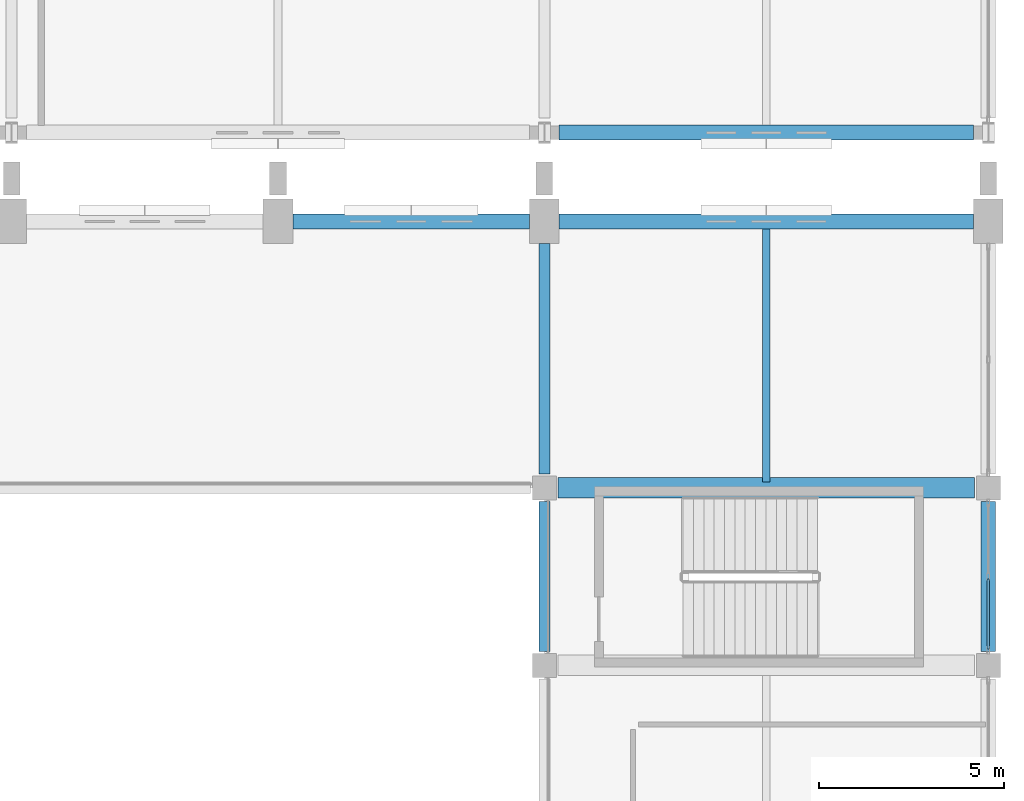
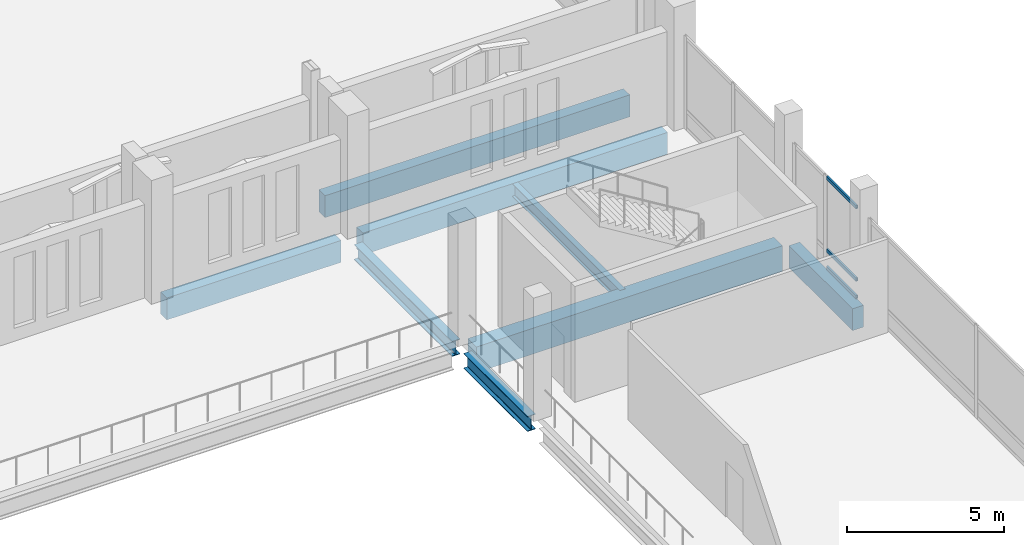
# One storey, part 112 of 220: 8 beams, 3 members, 1 element without a shape of its own.
"""IFC4 building model written with IfcOpenShell, lengths in metres."""

from ifc_helpers import new_model, si_unit, direction, frame, origin, origin_2d, place, context, subcontext, project, spatial, rectangle, hollow_rectangle, i_section, extrude, material, material_profile, profile_set, type_object, element, aggregate, save


model = new_model("IFC4")

# Units and contexts
model_context = context("Model", 3, precision=1e-05, world=origin(), true_north=direction((0.0, 1.0)))
body_context = subcontext(model_context, "Body", "Model", "MODEL_VIEW")
ifc_project = project(units=[si_unit("LENGTHUNIT", "METRE"), si_unit("AREAUNIT", "SQUARE_METRE"), si_unit("VOLUMEUNIT", "CUBIC_METRE"), si_unit("PLANEANGLEUNIT", "RADIAN"), si_unit("MASSUNIT", "GRAM", prefix="KILO")], contexts=[model_context])

# Site, building, storey
site_placement = place(None, origin())
site = spatial("IfcSite", under=ifc_project, at=site_placement, CompositionType="ELEMENT")
building_placement = place(site_placement, origin())
building = spatial("IfcBuilding", under=site, at=building_placement, Name="Cendralis Lancet Convention Centre", CompositionType="ELEMENT")
storey_placement = place(building_placement, frame((0.0, 0.0, 5.39990234375)))
storey = spatial("IfcBuildingStorey", under=building, at=storey_placement, Name="L01", CompositionType="ELEMENT", Elevation=5.39990234375)

# Curtain wall, members
ifc_material_1 = material(Name="Anodised bronze architectural aluminium", Category="aluminium")
curtain_wall_type = type_object("IfcCurtainWallType", Name="ARC-CW-PL01", PredefinedType="USERDEFINED", material=ifc_material_1)
curtain_wall_placement = place(storey_placement, origin())
curtain_wall = element("IfcCurtainWall", 1, at=curtain_wall_placement, inside=storey, type_object=curtain_wall_type, Name="L01 Curtain Wall CW-PL1 #124", ObjectType="CURTAIN WALL", PredefinedType="USERDEFINED")
ifc_material_profile_1 = material_profile(ifc_material_1, hollow_rectangle(XDim=0.070068359375, YDim=0.139892578125, WallThickness=0.00390625, at=origin_2d()), Name="AL-TRAN 70x140x4.0")
ifc_profile_set_1 = profile_set([ifc_material_profile_1], Name="Anodised bronze architectural aluminium")
member_type = type_object("IfcMemberType", Name="ARC-CW-TR02", PredefinedType="USERDEFINED", material=ifc_profile_set_1)
member_1_placement = place(storey_placement, frame((208.800048828125, 81.530029296875, 0.070068359375), z_axis=(0.0, -1.0, 0.0), x_axis=(1.0, 0.0, 0.0)))
member_1 = element("IfcMember", 2, at=member_1_placement, type_object=member_type, Name="Transom CW2-CW-PL1-L01-124-T1BOT", ObjectType="TRANSOM", PredefinedType="USERDEFINED", context=body_context, shape_type="SweptSolid", body=[
    extrude(hollow_rectangle(XDim=0.070068359375, YDim=0.139892578125, WallThickness=0.00390625, at=origin_2d()), origin(), (0.0, 0.0, 1.0), 1.885009765625),
])
member_2_placement = place(storey_placement, frame((208.800048828125, 81.530029296875, 0.75), z_axis=(0.0, -1.0, 0.0), x_axis=(1.0, 0.0, 0.0)))
member_2 = element("IfcMember", 3, at=member_2_placement, type_object=member_type, Name="Transom CW2-CW-PL1-L01-124-T1MID", ObjectType="TRANSOM", PredefinedType="USERDEFINED", context=body_context, shape_type="SweptSolid", body=[
    extrude(hollow_rectangle(XDim=0.070068359375, YDim=0.139892578125, WallThickness=0.00390625, at=origin_2d()), origin(), (0.0, 0.0, 1.0), 1.885009765625),
])
member_3_placement = place(storey_placement, frame((208.800048828125, 81.530029296875, 3.565185546875), z_axis=(0.0, -1.0, 0.0), x_axis=(1.0, 0.0, 0.0)))
member_3 = element("IfcMember", 4, at=member_3_placement, type_object=member_type, Name="Transom CW2-CW-PL1-L01-124-T1TOP", ObjectType="TRANSOM", PredefinedType="USERDEFINED", context=body_context, shape_type="SweptSolid", body=[
    extrude(hollow_rectangle(XDim=0.070068359375, YDim=0.139892578125, WallThickness=0.00390625, at=origin_2d()), origin(), (0.0, 0.0, 1.0), 1.885009765625),
])
aggregate(curtain_wall, [member_1, member_2, member_3])

# Beams
ifc_material_2 = material(Name="Concrete G40 (C40/50)", Category="concrete")
ifc_material_profile_2 = material_profile(ifc_material_2, rectangle(XDim=0.550048828125, YDim=1.0, at=origin_2d()), Name="RCB 550x1000")
ifc_profile_set_2 = profile_set([ifc_material_profile_2], Name="Concrete G40 (C40/50)")
beam_type_1 = type_object("IfcBeamType", Name="STR-BM-BG05", PredefinedType="BEAM", material=ifc_profile_set_2)
beam_1_placement = place(storey_placement, frame((197.175048828125, 84.0, -0.77978515625), z_axis=(1.0, 0.0, 0.0), x_axis=(0.0, 1.0, 0.0)))
element("IfcBeam", 5, at=beam_1_placement, inside=storey, type_object=beam_type_1, Name="L01 Beam BG05 #1421", PredefinedType="BEAM", context=body_context, shape_type="SweptSolid", body=[
    extrude(rectangle(XDim=0.550048828125, YDim=1.0, at=origin_2d()), origin(), (0.0, 0.0, 1.0), 11.25),
])
ifc_material_3 = material(Name="Steel S355", Category="steel")
ifc_material_profile_3 = material_profile(ifc_material_3, i_section(OverallWidth=0.300048828125, OverallDepth=0.590087890625, WebThickness=0.012939453125, FlangeThickness=0.02490234375, FilletRadius=0.027099609375, at=origin_2d()), Name="HEA 600")
ifc_profile_set_3 = profile_set([ifc_material_profile_3], Name="Steel S355")
beam_type_2 = type_object("IfcBeamType", Name="STR-BM-SG10", PredefinedType="BEAM", material=ifc_profile_set_3)
beam_2_placement = place(storey_placement, frame((196.800048828125, 79.574951171875, -0.574951171875), z_axis=(0.0, 1.0, 0.0), x_axis=(-1.0, 0.0, 0.0)))
element("IfcBeam", 6, at=beam_2_placement, inside=storey, type_object=beam_type_2, Name="L01 Beam SG10 #1435", PredefinedType="BEAM", context=body_context, shape_type="SweptSolid", body=[
    extrude(i_section(OverallWidth=0.300048828125, OverallDepth=0.590087890625, WebThickness=0.012939453125, FlangeThickness=0.02490234375, FilletRadius=0.027099609375, at=origin_2d()), origin(), (0.0, 0.0, 1.0), 4.050048828125),
])
beam_3_placement = place(storey_placement, frame((196.800048828125, 84.375, -0.574951171875), z_axis=(0.0, 1.0, 0.0), x_axis=(-1.0, 0.0, 0.0)))
element("IfcBeam", 7, at=beam_3_placement, inside=storey, type_object=beam_type_2, Name="L01 Beam SG10 #1436", PredefinedType="BEAM", context=body_context, shape_type="SweptSolid", body=[
    extrude(i_section(OverallWidth=0.300048828125, OverallDepth=0.590087890625, WebThickness=0.012939453125, FlangeThickness=0.02490234375, FilletRadius=0.027099609375, at=origin_2d()), origin(), (0.0, 0.0, 1.0), 6.22509765625),
])
ifc_material_profile_4 = material_profile(ifc_material_3, i_section(OverallWidth=0.199951171875, OverallDepth=0.5, WebThickness=0.01025390625, FlangeThickness=0.01611328125, FilletRadius=0.02099609375, at=origin_2d()), Name="IPE 500")
ifc_profile_set_4 = profile_set([ifc_material_profile_4], Name="Steel S355")
beam_type_3 = type_object("IfcBeamType", Name="STR-JS-BJ06", PredefinedType="JOIST", material=ifc_profile_set_4)
beam_4_placement = place(storey_placement, frame((202.800048828125, 84.14990234375, -0.52978515625), z_axis=(0.0, 1.0, 0.0), x_axis=(-1.0, 0.0, 0.0)))
element("IfcBeam", 8, at=beam_4_placement, inside=storey, type_object=beam_type_3, Name="L01 Beam BJ06 #1448", PredefinedType="JOIST", context=body_context, shape_type="SweptSolid", body=[
    extrude(i_section(OverallWidth=0.199951171875, OverallDepth=0.5, WebThickness=0.01025390625, FlangeThickness=0.01611328125, FilletRadius=0.02099609375, at=origin_2d()), origin(), (0.0, 0.0, 1.0), 6.85009765625),
])
ifc_material_profile_5 = material_profile(ifc_material_2, rectangle(XDim=0.39990234375, YDim=0.85009765625, at=origin_2d()), Name="RCB 400x850")
ifc_profile_set_5 = profile_set([ifc_material_profile_5], Name="Concrete G40 (C40/50)")
beam_type_4 = type_object("IfcBeamType", Name="STR-SP-SP02", PredefinedType="SPANDREL", material=ifc_profile_set_5)
beam_5_placement = place(storey_placement, frame((190.0, 91.199951171875, -0.704833984375), z_axis=(1.0, 0.0, 0.0), x_axis=(0.0, 1.0, 0.0)))
element("IfcBeam", 9, at=beam_5_placement, inside=storey, type_object=beam_type_4, Name="L01 Beam SP02 #1410", PredefinedType="SPANDREL", context=body_context, shape_type="SweptSolid", body=[
    extrude(rectangle(XDim=0.39990234375, YDim=0.85009765625, at=origin_2d()), origin(), (0.0, 0.0, 1.0), 6.39990234375),
])
beam_6_placement = place(storey_placement, frame((197.199951171875, 91.199951171875, -0.704833984375), z_axis=(1.0, 0.0, 0.0), x_axis=(0.0, 1.0, 0.0)))
element("IfcBeam", 10, at=beam_6_placement, inside=storey, type_object=beam_type_4, Name="L01 Beam SP02 #1411", PredefinedType="SPANDREL", context=body_context, shape_type="SweptSolid", body=[
    extrude(rectangle(XDim=0.39990234375, YDim=0.85009765625, at=origin_2d()), origin(), (0.0, 0.0, 1.0), 11.199951171875),
])
beam_7_placement = place(storey_placement, frame((208.800048828125, 79.574951171875, -0.704833984375), z_axis=(0.0, 1.0, 0.0), x_axis=(-1.0, 0.0, 0.0)))
element("IfcBeam", 11, at=beam_7_placement, inside=storey, type_object=beam_type_4, Name="L01 Beam SP02 #1440", PredefinedType="SPANDREL", context=body_context, shape_type="SweptSolid", body=[
    extrude(rectangle(XDim=0.39990234375, YDim=0.85009765625, at=origin_2d()), origin(), (0.0, 0.0, 1.0), 4.050048828125),
])
beam_8_placement = place(storey_placement, frame((197.199951171875, 93.60009765625, -0.704833984375), z_axis=(1.0, 0.0, 0.0), x_axis=(0.0, 1.0, 0.0)))
element("IfcBeam", 12, at=beam_8_placement, inside=storey, type_object=beam_type_4, Name="L01 Beam SP02 #1644", PredefinedType="SPANDREL", context=body_context, shape_type="SweptSolid", body=[
    extrude(rectangle(XDim=0.39990234375, YDim=0.85009765625, at=origin_2d()), origin(), (0.0, 0.0, 1.0), 11.199951171875),
])

save(model, "model.ifc")
